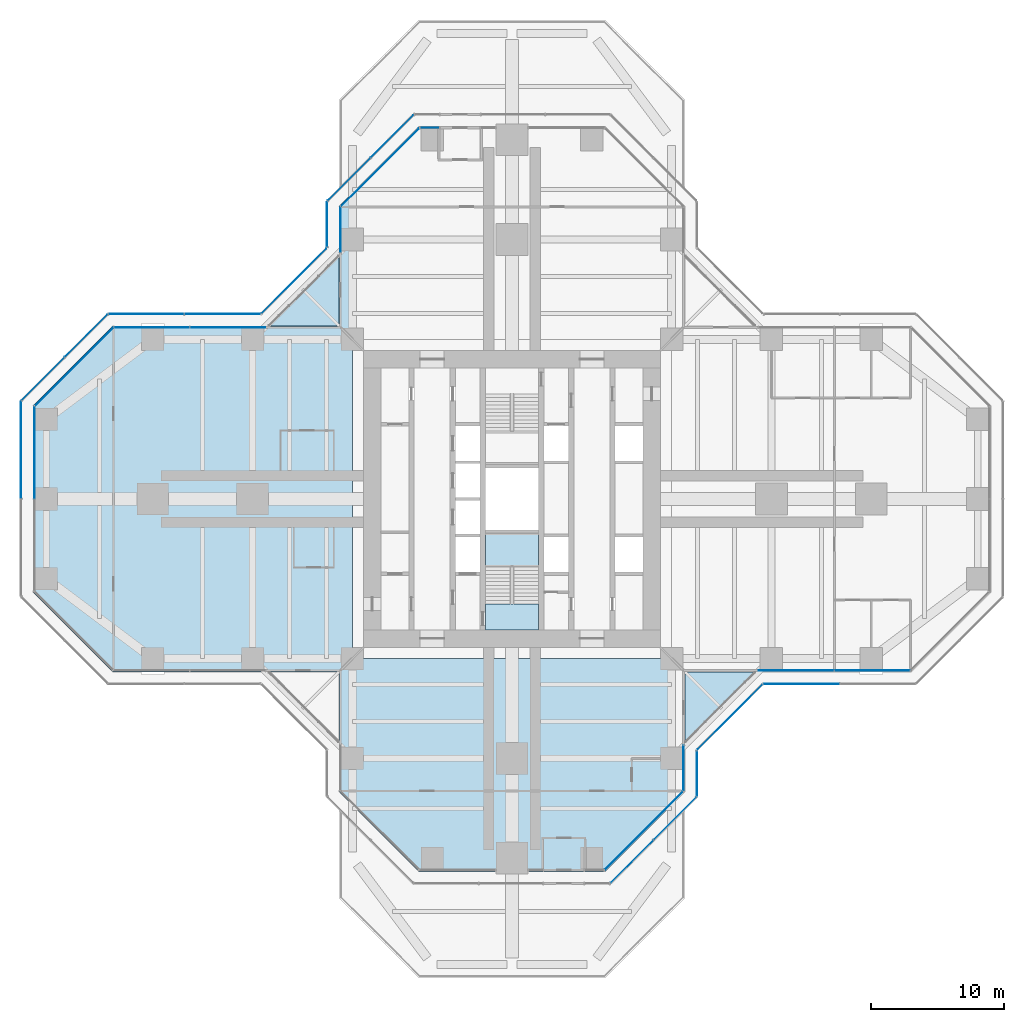
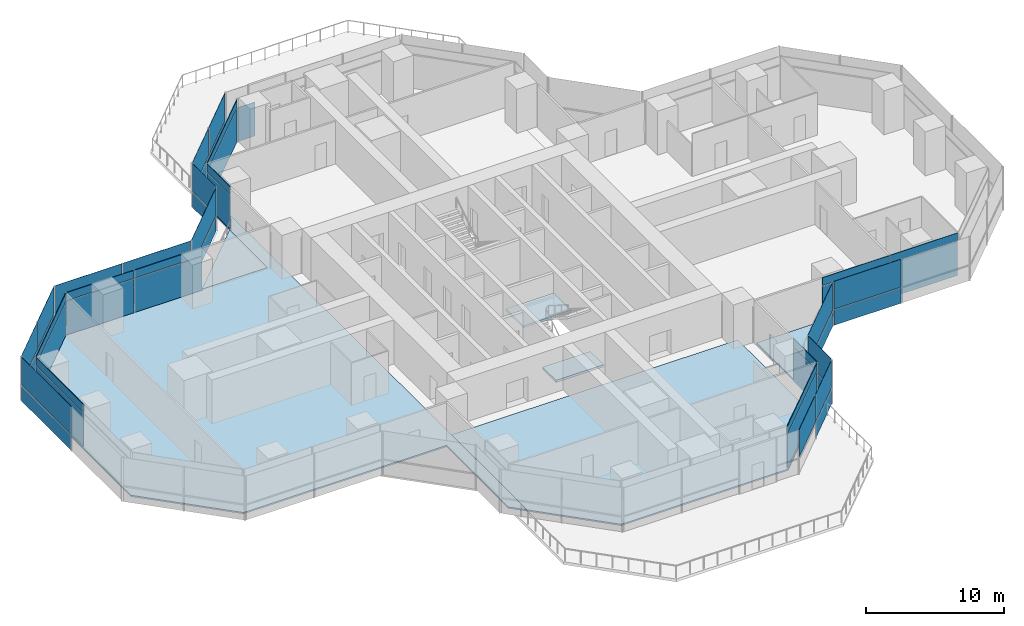
# One storey, part 14 of 21: 48 plates, 6 slabs, 20 elements without a shape of their own.
"""IFC4 building model written with IfcOpenShell, lengths in metres."""

from ifc_helpers import new_model, si_unit, direction, frame, origin, origin_2d, place, context, subcontext, project, spatial, polyline, rectangle, outline, extrude, material, layer, layer_set, type_object, element, aggregate, save


model = new_model("IFC4")

# Units and contexts
model_context = context("Model", 3, precision=1e-05, world=origin(), true_north=direction((0.0, 1.0)))
body_context = subcontext(model_context, "Body", "Model", "MODEL_VIEW")
ifc_project = project(units=[si_unit("LENGTHUNIT", "METRE"), si_unit("AREAUNIT", "SQUARE_METRE"), si_unit("VOLUMEUNIT", "CUBIC_METRE"), si_unit("PLANEANGLEUNIT", "RADIAN"), si_unit("MASSUNIT", "GRAM", prefix="KILO")], contexts=[model_context])

# Site, building, storey
site_placement = place(None, origin())
site = spatial("IfcSite", under=ifc_project, at=site_placement, CompositionType="ELEMENT")
building_placement = place(site_placement, origin())
building = spatial("IfcBuilding", under=site, at=building_placement, Name="Mizan Broadcast Tower", CompositionType="ELEMENT")
storey_placement = place(building_placement, frame((0.0, 0.0, 124.199951171875)))
storey = spatial("IfcBuildingStorey", under=building, at=storey_placement, Name="L27", CompositionType="ELEMENT", Elevation=124.199951171875)

# Slabs
ifc_material_1 = material(Name="Concrete C32/40", Category="concrete")
ifc_layer_1 = layer(ifc_material_1, 0.1298828125)
ifc_layer_set_1 = layer_set([ifc_layer_1], Name="Concrete C32/40")
slab_type_1 = type_object("IfcSlabType", Name="COMPOSITE DECK SLAB 130", PredefinedType="FLOOR", material=ifc_layer_set_1)
slab_1_placement = place(storey_placement, frame((0.0, 0.0, -0.1298828125)))
element("IfcSlab", 1, at=slab_1_placement, inside=storey, type_object=slab_type_1, Name="Floor slab L27 west arm", PredefinedType="FLOOR", context=body_context, shape_type="SweptSolid", body=[
    extrude(outline(polyline([(-13.0, -22.0), (-12.0, -23.0), (-12.0, 23.0), (-13.0, 22.0), (-13.0, 13.0), (-30.0, 13.0), (-36.0, 7.0), (-36.0, -7.0), (-30.0, -13.0), (-13.0, -13.0), (-13.0, -22.0)])), origin(), (0.0, 0.0, 1.0), 0.1298828125),
])
slab_2_placement = place(storey_placement, frame((0.0, 0.0, -0.1298828125)))
element("IfcSlab", 2, at=slab_2_placement, inside=storey, type_object=slab_type_1, Name="Floor slab L27 south arm", PredefinedType="FLOOR", context=body_context, shape_type="SweptSolid", body=[
    extrude(outline(polyline([(7.0, -28.0), (12.0, -23.0), (12.0, -12.0), (-12.0, -12.0), (-12.0, -23.0), (-7.0, -28.0), (7.0, -28.0)])), origin(), (0.0, 0.0, 1.0), 0.1298828125),
])

# Curtain wall, plates
ifc_material_2 = material(Name="Aluminium framed glazing", Category="aluminium")
curtain_wall_type_1 = type_object("IfcCurtainWallType", Name="INNER SKIN MID ZONE", PredefinedType="USERDEFINED", material=ifc_material_2)
curtain_wall_1_placement = place(storey_placement, origin())
curtain_wall_1 = element("IfcCurtainWall", 3, at=curtain_wall_1_placement, inside=storey, type_object=curtain_wall_type_1, Name="Inner skin mid zone L27 E side", ObjectType="INNER SKIN MID ZONE", PredefinedType="USERDEFINED")
ifc_material_3 = material(Name="Double glazing, clear low-e", Category="glass")
ifc_layer_2 = layer(ifc_material_3, 0.028076171875)
ifc_layer_set_2 = layer_set([ifc_layer_2], Name="Double glazing, clear low-e")
plate_type_1 = type_object("IfcPlateType", Name="INNER SKIN GLAZING UNIT", PredefinedType="CURTAIN_PANEL", material=ifc_layer_set_2)
plate_1_placement = place(storey_placement, frame((21.379638671875, -12.89990234375, 0.0), z_axis=(0.0, 0.0, 1.0), x_axis=(1.0, 0.0, 0.0)))
plate_1 = element("IfcPlate", 4, at=plate_1_placement, type_object=plate_type_1, Name="Inner skin mid zone L27 E side panel 1.1", PredefinedType="CURTAIN_PANEL", context=body_context, shape_type="SweptSolid", body=[
    extrude(rectangle(XDim=5.639404296875, YDim=0.028076171875, at=origin_2d()), origin(), (0.0, 0.0, 1.0), 3.0),
])
plate_2_placement = place(storey_placement, frame((27.078857421875, -12.89990234375, 0.0), z_axis=(0.0, 0.0, 1.0), x_axis=(1.0, 0.0, 0.0)))
plate_2 = element("IfcPlate", 5, at=plate_2_placement, type_object=plate_type_1, Name="Inner skin mid zone L27 E side panel 2.1", PredefinedType="CURTAIN_PANEL", context=body_context, shape_type="SweptSolid", body=[
    extrude(rectangle(XDim=5.639404296875, YDim=0.028076171875, at=origin_2d()), origin(), (0.0, 0.0, 1.0), 3.0),
])

# Curtain wall, plate
curtain_wall_2_placement = place(storey_placement, origin())
curtain_wall_2 = element("IfcCurtainWall", 6, at=curtain_wall_2_placement, inside=storey, type_object=curtain_wall_type_1, Name="Inner skin mid zone L27 N end", ObjectType="INNER SKIN MID ZONE", PredefinedType="USERDEFINED")
plate_3_placement = place(storey_placement, frame((-6.17919921875, 27.89990234375, 0.0), z_axis=(0.0, 0.0, 1.0), x_axis=(-1.0, 0.0, 0.0)))
plate_3 = element("IfcPlate", 7, at=plate_3_placement, type_object=plate_type_1, Name="Inner skin mid zone L27 N end panel 1.1", PredefinedType="CURTAIN_PANEL", context=body_context, shape_type="SweptSolid", body=[
    extrude(rectangle(XDim=1.4384765625, YDim=0.028076171875, at=origin_2d()), origin(), (0.0, 0.0, 1.0), 3.0),
])
aggregate(curtain_wall_2, [plate_3])

curtain_wall_3_placement = place(storey_placement, origin())
curtain_wall_3 = element("IfcCurtainWall", 8, at=curtain_wall_3_placement, inside=storey, type_object=curtain_wall_type_1, Name="Inner skin mid zone L27 N chamfer", ObjectType="INNER SKIN MID ZONE", PredefinedType="USERDEFINED")
plate_4_placement = place(storey_placement, frame((-9.92919921875, 24.92919921875, 0.0), z_axis=(0.0, 0.0, 1.0), x_axis=(-0.707106781187, -0.707106781187, 0.0)))
plate_4 = element("IfcPlate", 9, at=plate_4_placement, type_object=plate_type_1, Name="Inner skin mid zone L27 N chamfer panel 1.1", PredefinedType="CURTAIN_PANEL", context=body_context, shape_type="SweptSolid", body=[
    extrude(rectangle(XDim=8.282470703125, YDim=0.028076171875, at=origin_2d()), origin(), (0.0, 0.0, 1.0), 3.0),
])

curtain_wall_4_placement = place(storey_placement, origin())
curtain_wall_4 = element("IfcCurtainWall", 10, at=curtain_wall_4_placement, inside=storey, type_object=curtain_wall_type_1, Name="Inner skin mid zone L27 N side", ObjectType="INNER SKIN MID ZONE", PredefinedType="USERDEFINED")
plate_5_placement = place(storey_placement, frame((-12.89990234375, 20.229248046875, 0.0), z_axis=(0.0, 0.0, 1.0), x_axis=(0.0, -1.0, 0.0)))
plate_5 = element("IfcPlate", 11, at=plate_5_placement, type_object=plate_type_1, Name="Inner skin mid zone L27 N side panel 1.1", PredefinedType="CURTAIN_PANEL", context=body_context, shape_type="SweptSolid", body=[
    extrude(rectangle(XDim=3.338623046875, YDim=0.028076171875, at=origin_2d()), origin(), (0.0, 0.0, 1.0), 3.0),
])

# Curtain wall, plates
curtain_wall_5_placement = place(storey_placement, origin())
curtain_wall_5 = element("IfcCurtainWall", 12, at=curtain_wall_5_placement, inside=storey, type_object=curtain_wall_type_1, Name="Inner skin mid zone L27 W side", ObjectType="INNER SKIN MID ZONE", PredefinedType="USERDEFINED")
plate_6_placement = place(storey_placement, frame((-21.379638671875, 12.89990234375, 0.0), z_axis=(0.0, 0.0, 1.0), x_axis=(-1.0, 0.0, 0.0)))
plate_6 = element("IfcPlate", 13, at=plate_6_placement, type_object=plate_type_1, Name="Inner skin mid zone L27 W side panel 1.1", PredefinedType="CURTAIN_PANEL", context=body_context, shape_type="SweptSolid", body=[
    extrude(rectangle(XDim=5.639404296875, YDim=0.028076171875, at=origin_2d()), origin(), (0.0, 0.0, 1.0), 3.0),
])
plate_7_placement = place(storey_placement, frame((-27.078857421875, 12.89990234375, 0.0), z_axis=(0.0, 0.0, 1.0), x_axis=(-1.0, 0.0, 0.0)))
plate_7 = element("IfcPlate", 14, at=plate_7_placement, type_object=plate_type_1, Name="Inner skin mid zone L27 W side panel 2.1", PredefinedType="CURTAIN_PANEL", context=body_context, shape_type="SweptSolid", body=[
    extrude(rectangle(XDim=5.639404296875, YDim=0.028076171875, at=origin_2d()), origin(), (0.0, 0.0, 1.0), 3.0),
])

# Curtain wall, plate
curtain_wall_6_placement = place(storey_placement, origin())
curtain_wall_6 = element("IfcCurtainWall", 15, at=curtain_wall_6_placement, inside=storey, type_object=curtain_wall_type_1, Name="Inner skin mid zone L27 W chamfer", ObjectType="INNER SKIN MID ZONE", PredefinedType="USERDEFINED")
plate_8_placement = place(storey_placement, frame((-32.92919921875, 9.92919921875, 0.0), z_axis=(0.0, 0.0, 1.0), x_axis=(-0.707106781187, -0.707106781187, 0.0)))
plate_8 = element("IfcPlate", 16, at=plate_8_placement, type_object=plate_type_1, Name="Inner skin mid zone L27 W chamfer panel 1.1", PredefinedType="CURTAIN_PANEL", context=body_context, shape_type="SweptSolid", body=[
    extrude(rectangle(XDim=8.282470703125, YDim=0.028076171875, at=origin_2d()), origin(), (0.0, 0.0, 1.0), 3.0),
])

curtain_wall_7_placement = place(storey_placement, origin())
curtain_wall_7 = element("IfcCurtainWall", 17, at=curtain_wall_7_placement, inside=storey, type_object=curtain_wall_type_1, Name="Inner skin mid zone L27 W end", ObjectType="INNER SKIN MID ZONE", PredefinedType="USERDEFINED")
plate_9_placement = place(storey_placement, frame((-35.89990234375, 3.46435546875, 0.0), z_axis=(0.0, 0.0, 1.0), x_axis=(0.0, -1.0, 0.0)))
plate_9 = element("IfcPlate", 18, at=plate_9_placement, type_object=plate_type_1, Name="Inner skin mid zone L27 W end panel 1.1", PredefinedType="CURTAIN_PANEL", context=body_context, shape_type="SweptSolid", body=[
    extrude(rectangle(XDim=6.86865234375, YDim=0.028076171875, at=origin_2d()), origin(), (0.0, 0.0, 1.0), 3.0),
])

curtain_wall_8_placement = place(storey_placement, origin())
curtain_wall_8 = element("IfcCurtainWall", 19, at=curtain_wall_8_placement, inside=storey, type_object=curtain_wall_type_1, Name="Inner skin mid zone L27 S chamfer", ObjectType="INNER SKIN MID ZONE", PredefinedType="USERDEFINED")
plate_10_placement = place(storey_placement, frame((9.92919921875, -24.92919921875, 0.0), z_axis=(0.0, 0.0, 1.0), x_axis=(0.707106781187, 0.707106781187, 0.0)))
plate_10 = element("IfcPlate", 20, at=plate_10_placement, type_object=plate_type_1, Name="Inner skin mid zone L27 S chamfer panel 1.1", PredefinedType="CURTAIN_PANEL", context=body_context, shape_type="SweptSolid", body=[
    extrude(rectangle(XDim=8.282470703125, YDim=0.028076171875, at=origin_2d()), origin(), (0.0, 0.0, 1.0), 3.0),
])

curtain_wall_9_placement = place(storey_placement, origin())
curtain_wall_9 = element("IfcCurtainWall", 21, at=curtain_wall_9_placement, inside=storey, type_object=curtain_wall_type_1, Name="Inner skin mid zone L27 S side", ObjectType="INNER SKIN MID ZONE", PredefinedType="USERDEFINED")
plate_11_placement = place(storey_placement, frame((12.89990234375, -20.229248046875, 0.0), z_axis=(0.0, 0.0, 1.0), x_axis=(0.0, 1.0, 0.0)))
plate_11 = element("IfcPlate", 22, at=plate_11_placement, type_object=plate_type_1, Name="Inner skin mid zone L27 S side panel 1.1", PredefinedType="CURTAIN_PANEL", context=body_context, shape_type="SweptSolid", body=[
    extrude(rectangle(XDim=3.338623046875, YDim=0.028076171875, at=origin_2d()), origin(), (0.0, 0.0, 1.0), 3.0),
])

# Plate
ifc_material_4 = material(Name="Insulated aluminium spandrel panel, pale anodised", Category="aluminium")
ifc_layer_3 = layer(ifc_material_4, 0.050048828125)
ifc_layer_set_3 = layer_set([ifc_layer_3], Name="Insulated aluminium spandrel panel, pale anodised")
plate_type_2 = type_object("IfcPlateType", Name="INNER SKIN SPANDREL PANEL", PredefinedType="CURTAIN_PANEL", material=ifc_layer_set_3)
plate_12_placement = place(storey_placement, frame((21.379638671875, -12.89990234375, 3.06005859375), z_axis=(0.0, 0.0, 1.0), x_axis=(1.0, 0.0, 0.0)))
plate_12 = element("IfcPlate", 23, at=plate_12_placement, type_object=plate_type_2, Name="Inner skin mid zone L27 E side panel 1.2", PredefinedType="CURTAIN_PANEL", context=body_context, shape_type="SweptSolid", body=[
    extrude(rectangle(XDim=5.639404296875, YDim=0.050048828125, at=origin_2d()), origin(), (0.0, 0.0, 1.0), 0.7099609375),
])

plate_13_placement = place(storey_placement, frame((27.078857421875, -12.89990234375, 3.06005859375), z_axis=(0.0, 0.0, 1.0), x_axis=(1.0, 0.0, 0.0)))
plate_13 = element("IfcPlate", 24, at=plate_13_placement, type_object=plate_type_2, Name="Inner skin mid zone L27 E side panel 2.2", PredefinedType="CURTAIN_PANEL", context=body_context, shape_type="SweptSolid", body=[
    extrude(rectangle(XDim=5.639404296875, YDim=0.050048828125, at=origin_2d()), origin(), (0.0, 0.0, 1.0), 0.7099609375),
])

aggregate(curtain_wall_1, [plate_1, plate_12, plate_2, plate_13])

plate_14_placement = place(storey_placement, frame((-9.92919921875, 24.92919921875, 3.06005859375), z_axis=(0.0, 0.0, 1.0), x_axis=(-0.707106781187, -0.707106781187, 0.0)))
plate_14 = element("IfcPlate", 25, at=plate_14_placement, type_object=plate_type_2, Name="Inner skin mid zone L27 N chamfer panel 1.2", PredefinedType="CURTAIN_PANEL", context=body_context, shape_type="SweptSolid", body=[
    extrude(rectangle(XDim=8.282470703125, YDim=0.050048828125, at=origin_2d()), origin(), (0.0, 0.0, 1.0), 0.7099609375),
])

aggregate(curtain_wall_3, [plate_4, plate_14])

plate_15_placement = place(storey_placement, frame((-12.89990234375, 20.229248046875, 3.06005859375), z_axis=(0.0, 0.0, 1.0), x_axis=(0.0, -1.0, 0.0)))
plate_15 = element("IfcPlate", 26, at=plate_15_placement, type_object=plate_type_2, Name="Inner skin mid zone L27 N side panel 1.2", PredefinedType="CURTAIN_PANEL", context=body_context, shape_type="SweptSolid", body=[
    extrude(rectangle(XDim=3.338623046875, YDim=0.050048828125, at=origin_2d()), origin(), (0.0, 0.0, 1.0), 0.7099609375),
])

aggregate(curtain_wall_4, [plate_5, plate_15])

plate_16_placement = place(storey_placement, frame((-21.379638671875, 12.89990234375, 3.06005859375), z_axis=(0.0, 0.0, 1.0), x_axis=(-1.0, 0.0, 0.0)))
plate_16 = element("IfcPlate", 27, at=plate_16_placement, type_object=plate_type_2, Name="Inner skin mid zone L27 W side panel 1.2", PredefinedType="CURTAIN_PANEL", context=body_context, shape_type="SweptSolid", body=[
    extrude(rectangle(XDim=5.639404296875, YDim=0.050048828125, at=origin_2d()), origin(), (0.0, 0.0, 1.0), 0.7099609375),
])

plate_17_placement = place(storey_placement, frame((-27.078857421875, 12.89990234375, 3.06005859375), z_axis=(0.0, 0.0, 1.0), x_axis=(-1.0, 0.0, 0.0)))
plate_17 = element("IfcPlate", 28, at=plate_17_placement, type_object=plate_type_2, Name="Inner skin mid zone L27 W side panel 2.2", PredefinedType="CURTAIN_PANEL", context=body_context, shape_type="SweptSolid", body=[
    extrude(rectangle(XDim=5.639404296875, YDim=0.050048828125, at=origin_2d()), origin(), (0.0, 0.0, 1.0), 0.7099609375),
])

aggregate(curtain_wall_5, [plate_6, plate_16, plate_7, plate_17])

plate_18_placement = place(storey_placement, frame((-32.92919921875, 9.92919921875, 3.06005859375), z_axis=(0.0, 0.0, 1.0), x_axis=(-0.707106781187, -0.707106781187, 0.0)))
plate_18 = element("IfcPlate", 29, at=plate_18_placement, type_object=plate_type_2, Name="Inner skin mid zone L27 W chamfer panel 1.2", PredefinedType="CURTAIN_PANEL", context=body_context, shape_type="SweptSolid", body=[
    extrude(rectangle(XDim=8.282470703125, YDim=0.050048828125, at=origin_2d()), origin(), (0.0, 0.0, 1.0), 0.7099609375),
])

aggregate(curtain_wall_6, [plate_8, plate_18])

plate_19_placement = place(storey_placement, frame((-35.89990234375, 3.46435546875, 3.06005859375), z_axis=(0.0, 0.0, 1.0), x_axis=(0.0, -1.0, 0.0)))
plate_19 = element("IfcPlate", 30, at=plate_19_placement, type_object=plate_type_2, Name="Inner skin mid zone L27 W end panel 1.2", PredefinedType="CURTAIN_PANEL", context=body_context, shape_type="SweptSolid", body=[
    extrude(rectangle(XDim=6.86865234375, YDim=0.050048828125, at=origin_2d()), origin(), (0.0, 0.0, 1.0), 0.7099609375),
])

aggregate(curtain_wall_7, [plate_9, plate_19])

plate_20_placement = place(storey_placement, frame((9.92919921875, -24.92919921875, 3.06005859375), z_axis=(0.0, 0.0, 1.0), x_axis=(0.707106781187, 0.707106781187, 0.0)))
plate_20 = element("IfcPlate", 31, at=plate_20_placement, type_object=plate_type_2, Name="Inner skin mid zone L27 S chamfer panel 1.2", PredefinedType="CURTAIN_PANEL", context=body_context, shape_type="SweptSolid", body=[
    extrude(rectangle(XDim=8.282470703125, YDim=0.050048828125, at=origin_2d()), origin(), (0.0, 0.0, 1.0), 0.7099609375),
])

aggregate(curtain_wall_8, [plate_10, plate_20])

plate_21_placement = place(storey_placement, frame((12.89990234375, -20.229248046875, 3.06005859375), z_axis=(0.0, 0.0, 1.0), x_axis=(0.0, 1.0, 0.0)))
plate_21 = element("IfcPlate", 32, at=plate_21_placement, type_object=plate_type_2, Name="Inner skin mid zone L27 S side panel 1.2", PredefinedType="CURTAIN_PANEL", context=body_context, shape_type="SweptSolid", body=[
    extrude(rectangle(XDim=3.338623046875, YDim=0.050048828125, at=origin_2d()), origin(), (0.0, 0.0, 1.0), 0.7099609375),
])

aggregate(curtain_wall_9, [plate_11, plate_21])

# Curtain wall, plates
ifc_material_5 = material(Name="Aluminium framed glazing", Category="aluminium")
curtain_wall_type_2 = type_object("IfcCurtainWallType", Name="OUTER SKIN", PredefinedType="USERDEFINED", material=ifc_material_5)
curtain_wall_10_placement = place(storey_placement, origin())
curtain_wall_10 = element("IfcCurtainWall", 33, at=curtain_wall_10_placement, inside=storey, type_object=curtain_wall_type_2, Name="Outer skin L27 N chamfer", ObjectType="OUTER SKIN", PredefinedType="USERDEFINED")
ifc_material_6 = material(Name="Laminated clear glass", Category="glass")
ifc_layer_4 = layer(ifc_material_6, 0.02001953125)
ifc_layer_set_4 = layer_set([ifc_layer_4], Name="Laminated clear glass")
plate_type_3 = type_object("IfcPlateType", Name="OUTER SKIN CLEAR GLASS", PredefinedType="CURTAIN_PANEL", material=ifc_layer_set_4)
plate_22_placement = place(storey_placement, frame((-9.018798828125, 27.254150390625, 0.0), z_axis=(0.0, 0.0, 1.0), x_axis=(-0.707106781187, -0.707106781187, 0.0)))
plate_22 = element("IfcPlate", 34, at=plate_22_placement, type_object=plate_type_3, Name="Outer skin L27 N chamfer panel 1.1", PredefinedType="CURTAIN_PANEL", context=body_context, shape_type="SweptSolid", body=[
    extrude(rectangle(XDim=4.495361328125, YDim=0.02001953125, at=origin_2d()), origin(), (0.0, 0.0, 1.0), 1.3701171875),
])
plate_23_placement = place(storey_placement, frame((-9.018798828125, 27.254150390625, 1.43017578125), z_axis=(0.0, 0.0, 1.0), x_axis=(-0.707106781187, -0.707106781187, 0.0)))
plate_23 = element("IfcPlate", 35, at=plate_23_placement, type_object=plate_type_3, Name="Outer skin L27 N chamfer panel 1.2", PredefinedType="CURTAIN_PANEL", context=body_context, shape_type="SweptSolid", body=[
    extrude(rectangle(XDim=4.495361328125, YDim=0.02001953125, at=origin_2d()), origin(), (0.0, 0.0, 1.0), 2.469970703125),
])

curtain_wall_11_placement = place(storey_placement, origin())
curtain_wall_11 = element("IfcCurtainWall", 36, at=curtain_wall_11_placement, inside=storey, type_object=curtain_wall_type_2, Name="Outer skin L27 N side", ObjectType="OUTER SKIN", PredefinedType="USERDEFINED")
plate_24_placement = place(storey_placement, frame((-13.89990234375, 20.622802734375, 0.0), z_axis=(0.0, 0.0, 1.0), x_axis=(0.0, -1.0, 0.0)))
plate_24 = element("IfcPlate", 37, at=plate_24_placement, type_object=plate_type_3, Name="Outer skin L27 N side panel 1.1", PredefinedType="CURTAIN_PANEL", context=body_context, shape_type="SweptSolid", body=[
    extrude(rectangle(XDim=3.340087890625, YDim=0.02001953125, at=origin_2d()), origin(), (0.0, 0.0, 1.0), 1.3701171875),
])
plate_25_placement = place(storey_placement, frame((-13.89990234375, 20.622802734375, 1.43017578125), z_axis=(0.0, 0.0, 1.0), x_axis=(0.0, -1.0, 0.0)))
plate_25 = element("IfcPlate", 38, at=plate_25_placement, type_object=plate_type_3, Name="Outer skin L27 N side panel 1.2", PredefinedType="CURTAIN_PANEL", context=body_context, shape_type="SweptSolid", body=[
    extrude(rectangle(XDim=3.340087890625, YDim=0.02001953125, at=origin_2d()), origin(), (0.0, 0.0, 1.0), 2.469970703125),
])
aggregate(curtain_wall_11, [plate_24, plate_25])

curtain_wall_12_placement = place(storey_placement, origin())
curtain_wall_12 = element("IfcCurtainWall", 39, at=curtain_wall_12_placement, inside=storey, type_object=curtain_wall_type_2, Name="Outer skin L27 W chamfer", ObjectType="OUTER SKIN", PredefinedType="USERDEFINED")
plate_26_placement = place(storey_placement, frame((-16.386474609375, 16.386474609375, 0.0), z_axis=(0.0, 0.0, 1.0), x_axis=(-0.707106781187, -0.707106781187, 0.0)))
plate_26 = element("IfcPlate", 40, at=plate_26_placement, type_object=plate_type_3, Name="Outer skin L27 W chamfer panel 1.1", PredefinedType="CURTAIN_PANEL", context=body_context, shape_type="SweptSolid", body=[
    extrude(rectangle(XDim=6.87255859375, YDim=0.02001953125, at=origin_2d()), origin(), (0.0, 0.0, 1.0), 1.3701171875),
])
plate_27_placement = place(storey_placement, frame((-16.386474609375, 16.386474609375, 1.43017578125), z_axis=(0.0, 0.0, 1.0), x_axis=(-0.707106781187, -0.707106781187, 0.0)))
plate_27 = element("IfcPlate", 41, at=plate_27_placement, type_object=plate_type_3, Name="Outer skin L27 W chamfer panel 1.2", PredefinedType="CURTAIN_PANEL", context=body_context, shape_type="SweptSolid", body=[
    extrude(rectangle(XDim=6.87255859375, YDim=0.02001953125, at=origin_2d()), origin(), (0.0, 0.0, 1.0), 2.469970703125),
])
aggregate(curtain_wall_12, [plate_26, plate_27])

curtain_wall_13_placement = place(storey_placement, origin())
curtain_wall_13 = element("IfcCurtainWall", 42, at=curtain_wall_13_placement, inside=storey, type_object=curtain_wall_type_2, Name="Outer skin L27 W side", ObjectType="OUTER SKIN", PredefinedType="USERDEFINED")
plate_28_placement = place(storey_placement, frame((-21.767822265625, 13.89990234375, 0.0), z_axis=(0.0, 0.0, 1.0), x_axis=(-1.0, 0.0, 0.0)))
plate_28 = element("IfcPlate", 43, at=plate_28_placement, type_object=plate_type_3, Name="Outer skin L27 W side panel 1.1", PredefinedType="CURTAIN_PANEL", context=body_context, shape_type="SweptSolid", body=[
    extrude(rectangle(XDim=5.6298828125, YDim=0.02001953125, at=origin_2d()), origin(), (0.0, 0.0, 1.0), 1.3701171875),
])
plate_29_placement = place(storey_placement, frame((-21.767822265625, 13.89990234375, 1.43017578125), z_axis=(0.0, 0.0, 1.0), x_axis=(-1.0, 0.0, 0.0)))
plate_29 = element("IfcPlate", 44, at=plate_29_placement, type_object=plate_type_3, Name="Outer skin L27 W side panel 1.2", PredefinedType="CURTAIN_PANEL", context=body_context, shape_type="SweptSolid", body=[
    extrude(rectangle(XDim=5.6298828125, YDim=0.02001953125, at=origin_2d()), origin(), (0.0, 0.0, 1.0), 2.469970703125),
])
plate_30_placement = place(storey_placement, frame((-27.477783203125, 13.89990234375, 0.0), z_axis=(0.0, 0.0, 1.0), x_axis=(-1.0, 0.0, 0.0)))
plate_30 = element("IfcPlate", 45, at=plate_30_placement, type_object=plate_type_3, Name="Outer skin L27 W side panel 2.1", PredefinedType="CURTAIN_PANEL", context=body_context, shape_type="SweptSolid", body=[
    extrude(rectangle(XDim=5.6298828125, YDim=0.02001953125, at=origin_2d()), origin(), (0.0, 0.0, 1.0), 1.3701171875),
])
plate_31_placement = place(storey_placement, frame((-27.477783203125, 13.89990234375, 1.43017578125), z_axis=(0.0, 0.0, 1.0), x_axis=(-1.0, 0.0, 0.0)))
plate_31 = element("IfcPlate", 46, at=plate_31_placement, type_object=plate_type_3, Name="Outer skin L27 W side panel 2.2", PredefinedType="CURTAIN_PANEL", context=body_context, shape_type="SweptSolid", body=[
    extrude(rectangle(XDim=5.6298828125, YDim=0.02001953125, at=origin_2d()), origin(), (0.0, 0.0, 1.0), 2.469970703125),
])
aggregate(curtain_wall_13, [plate_28, plate_29, plate_30, plate_31])

curtain_wall_14_placement = place(storey_placement, origin())
curtain_wall_14 = element("IfcCurtainWall", 47, at=curtain_wall_14_placement, inside=storey, type_object=curtain_wall_type_2, Name="Outer skin L27 W chamfer", ObjectType="OUTER SKIN", PredefinedType="USERDEFINED")
plate_32_placement = place(storey_placement, frame((-32.018798828125, 12.254150390625, 0.0), z_axis=(0.0, 0.0, 1.0), x_axis=(-0.707106781187, -0.707106781187, 0.0)))
plate_32 = element("IfcPlate", 48, at=plate_32_placement, type_object=plate_type_3, Name="Outer skin L27 W chamfer panel 1.1", PredefinedType="CURTAIN_PANEL", context=body_context, shape_type="SweptSolid", body=[
    extrude(rectangle(XDim=4.495361328125, YDim=0.02001953125, at=origin_2d()), origin(), (0.0, 0.0, 1.0), 1.3701171875),
])
plate_33_placement = place(storey_placement, frame((-32.018798828125, 12.254150390625, 1.43017578125), z_axis=(0.0, 0.0, 1.0), x_axis=(-0.707106781187, -0.707106781187, 0.0)))
plate_33 = element("IfcPlate", 49, at=plate_33_placement, type_object=plate_type_3, Name="Outer skin L27 W chamfer panel 1.2", PredefinedType="CURTAIN_PANEL", context=body_context, shape_type="SweptSolid", body=[
    extrude(rectangle(XDim=4.495361328125, YDim=0.02001953125, at=origin_2d()), origin(), (0.0, 0.0, 1.0), 2.469970703125),
])

curtain_wall_15_placement = place(storey_placement, origin())
curtain_wall_15 = element("IfcCurtainWall", 50, at=curtain_wall_15_placement, inside=storey, type_object=curtain_wall_type_2, Name="Outer skin L27 W end", ObjectType="OUTER SKIN", PredefinedType="USERDEFINED")
plate_34_placement = place(storey_placement, frame((-36.89990234375, 3.66650390625, 0.0), z_axis=(0.0, 0.0, 1.0), x_axis=(0.0, -1.0, 0.0)))
plate_34 = element("IfcPlate", 51, at=plate_34_placement, type_object=plate_type_3, Name="Outer skin L27 W end panel 1.1", PredefinedType="CURTAIN_PANEL", context=body_context, shape_type="SweptSolid", body=[
    extrude(rectangle(XDim=7.252685546875, YDim=0.02001953125, at=origin_2d()), origin(), (0.0, 0.0, 1.0), 1.3701171875),
])
plate_35_placement = place(storey_placement, frame((-36.89990234375, 3.66650390625, 1.43017578125), z_axis=(0.0, 0.0, 1.0), x_axis=(0.0, -1.0, 0.0)))
plate_35 = element("IfcPlate", 52, at=plate_35_placement, type_object=plate_type_3, Name="Outer skin L27 W end panel 1.2", PredefinedType="CURTAIN_PANEL", context=body_context, shape_type="SweptSolid", body=[
    extrude(rectangle(XDim=7.252685546875, YDim=0.02001953125, at=origin_2d()), origin(), (0.0, 0.0, 1.0), 2.469970703125),
])
aggregate(curtain_wall_15, [plate_34, plate_35])

# Curtain wall, plate
curtain_wall_16_placement = place(storey_placement, origin())
curtain_wall_16 = element("IfcCurtainWall", 53, at=curtain_wall_16_placement, inside=storey, type_object=curtain_wall_type_2, Name="Outer skin L27 S chamfer", ObjectType="OUTER SKIN", PredefinedType="USERDEFINED")
plate_36_placement = place(storey_placement, frame((9.018798828125, -27.254150390625, 1.43017578125), z_axis=(0.0, 0.0, 1.0), x_axis=(0.707106781187, 0.707106781187, 0.0)))
plate_36 = element("IfcPlate", 54, at=plate_36_placement, type_object=plate_type_3, Name="Outer skin L27 S chamfer panel 1.2", PredefinedType="CURTAIN_PANEL", context=body_context, shape_type="SweptSolid", body=[
    extrude(rectangle(XDim=4.495361328125, YDim=0.02001953125, at=origin_2d()), origin(), (0.0, 0.0, 1.0), 2.469970703125),
])

# Curtain wall, plates
curtain_wall_17_placement = place(storey_placement, origin())
curtain_wall_17 = element("IfcCurtainWall", 55, at=curtain_wall_17_placement, inside=storey, type_object=curtain_wall_type_2, Name="Outer skin L27 S side", ObjectType="OUTER SKIN", PredefinedType="USERDEFINED")
plate_37_placement = place(storey_placement, frame((13.89990234375, -20.622802734375, 0.0), z_axis=(0.0, 0.0, 1.0), x_axis=(0.0, 1.0, 0.0)))
plate_37 = element("IfcPlate", 56, at=plate_37_placement, type_object=plate_type_3, Name="Outer skin L27 S side panel 1.1", PredefinedType="CURTAIN_PANEL", context=body_context, shape_type="SweptSolid", body=[
    extrude(rectangle(XDim=3.340087890625, YDim=0.02001953125, at=origin_2d()), origin(), (0.0, 0.0, 1.0), 1.3701171875),
])
plate_38_placement = place(storey_placement, frame((13.89990234375, -20.622802734375, 1.43017578125), z_axis=(0.0, 0.0, 1.0), x_axis=(0.0, 1.0, 0.0)))
plate_38 = element("IfcPlate", 57, at=plate_38_placement, type_object=plate_type_3, Name="Outer skin L27 S side panel 1.2", PredefinedType="CURTAIN_PANEL", context=body_context, shape_type="SweptSolid", body=[
    extrude(rectangle(XDim=3.340087890625, YDim=0.02001953125, at=origin_2d()), origin(), (0.0, 0.0, 1.0), 2.469970703125),
])
aggregate(curtain_wall_17, [plate_37, plate_38])

curtain_wall_18_placement = place(storey_placement, origin())
curtain_wall_18 = element("IfcCurtainWall", 58, at=curtain_wall_18_placement, inside=storey, type_object=curtain_wall_type_2, Name="Outer skin L27 E chamfer", ObjectType="OUTER SKIN", PredefinedType="USERDEFINED")
plate_39_placement = place(storey_placement, frame((16.386474609375, -16.386474609375, 0.0), z_axis=(0.0, 0.0, 1.0), x_axis=(0.707106781187, 0.707106781187, 0.0)))
plate_39 = element("IfcPlate", 59, at=plate_39_placement, type_object=plate_type_3, Name="Outer skin L27 E chamfer panel 1.1", PredefinedType="CURTAIN_PANEL", context=body_context, shape_type="SweptSolid", body=[
    extrude(rectangle(XDim=6.87255859375, YDim=0.02001953125, at=origin_2d()), origin(), (0.0, 0.0, 1.0), 1.3701171875),
])
plate_40_placement = place(storey_placement, frame((16.386474609375, -16.386474609375, 1.43017578125), z_axis=(0.0, 0.0, 1.0), x_axis=(0.707106781187, 0.707106781187, 0.0)))
plate_40 = element("IfcPlate", 60, at=plate_40_placement, type_object=plate_type_3, Name="Outer skin L27 E chamfer panel 1.2", PredefinedType="CURTAIN_PANEL", context=body_context, shape_type="SweptSolid", body=[
    extrude(rectangle(XDim=6.87255859375, YDim=0.02001953125, at=origin_2d()), origin(), (0.0, 0.0, 1.0), 2.469970703125),
])
aggregate(curtain_wall_18, [plate_39, plate_40])

curtain_wall_19_placement = place(storey_placement, origin())
curtain_wall_19 = element("IfcCurtainWall", 61, at=curtain_wall_19_placement, inside=storey, type_object=curtain_wall_type_2, Name="Outer skin L27 E side", ObjectType="OUTER SKIN", PredefinedType="USERDEFINED")
plate_41_placement = place(storey_placement, frame((21.767822265625, -13.89990234375, 0.0), z_axis=(0.0, 0.0, 1.0), x_axis=(1.0, 0.0, 0.0)))
plate_41 = element("IfcPlate", 62, at=plate_41_placement, type_object=plate_type_3, Name="Outer skin L27 E side panel 1.1", PredefinedType="CURTAIN_PANEL", context=body_context, shape_type="SweptSolid", body=[
    extrude(rectangle(XDim=5.6298828125, YDim=0.02001953125, at=origin_2d()), origin(), (0.0, 0.0, 1.0), 1.3701171875),
])
plate_42_placement = place(storey_placement, frame((21.767822265625, -13.89990234375, 1.43017578125), z_axis=(0.0, 0.0, 1.0), x_axis=(1.0, 0.0, 0.0)))
plate_42 = element("IfcPlate", 63, at=plate_42_placement, type_object=plate_type_3, Name="Outer skin L27 E side panel 1.2", PredefinedType="CURTAIN_PANEL", context=body_context, shape_type="SweptSolid", body=[
    extrude(rectangle(XDim=5.6298828125, YDim=0.02001953125, at=origin_2d()), origin(), (0.0, 0.0, 1.0), 2.469970703125),
])
aggregate(curtain_wall_19, [plate_41, plate_42])

# Plate
ifc_material_7 = material(Name="Perforated aluminium, pale anodised", Category="aluminium")
ifc_layer_5 = layer(ifc_material_7, 0.011962890625)
ifc_layer_set_5 = layer_set([ifc_layer_5], Name="Perforated aluminium, pale anodised")
plate_type_4 = type_object("IfcPlateType", Name="OUTER SKIN PERFORATED SCREEN", PredefinedType="USERDEFINED", material=ifc_layer_set_5)
plate_43_placement = place(storey_placement, frame((-12.254150390625, 24.018798828125, 0.0), z_axis=(0.0, 0.0, 1.0), x_axis=(-0.707106781187, -0.707106781187, 0.0)))
plate_43 = element("IfcPlate", 64, at=plate_43_placement, type_object=plate_type_4, Name="Outer skin L27 N chamfer panel 2.1", ObjectType="SCREEN", PredefinedType="USERDEFINED", context=body_context, shape_type="SweptSolid", body=[
    extrude(rectangle(XDim=4.495361328125, YDim=0.011962890625, at=origin_2d()), origin(), (0.0, 0.0, 1.0), 1.3701171875),
])

plate_44_placement = place(storey_placement, frame((-12.254150390625, 24.018798828125, 1.43017578125), z_axis=(0.0, 0.0, 1.0), x_axis=(-0.707106781187, -0.707106781187, 0.0)))
plate_44 = element("IfcPlate", 65, at=plate_44_placement, type_object=plate_type_4, Name="Outer skin L27 N chamfer panel 2.2", ObjectType="SCREEN", PredefinedType="USERDEFINED", context=body_context, shape_type="SweptSolid", body=[
    extrude(rectangle(XDim=4.495361328125, YDim=0.011962890625, at=origin_2d()), origin(), (0.0, 0.0, 1.0), 2.469970703125),
])

aggregate(curtain_wall_10, [plate_22, plate_23, plate_43, plate_44])

plate_45_placement = place(storey_placement, frame((-35.254150390625, 9.018798828125, 0.0), z_axis=(0.0, 0.0, 1.0), x_axis=(-0.707106781187, -0.707106781187, 0.0)))
plate_45 = element("IfcPlate", 66, at=plate_45_placement, type_object=plate_type_4, Name="Outer skin L27 W chamfer panel 2.1", ObjectType="SCREEN", PredefinedType="USERDEFINED", context=body_context, shape_type="SweptSolid", body=[
    extrude(rectangle(XDim=4.495361328125, YDim=0.011962890625, at=origin_2d()), origin(), (0.0, 0.0, 1.0), 1.3701171875),
])

plate_46_placement = place(storey_placement, frame((-35.254150390625, 9.018798828125, 1.43017578125), z_axis=(0.0, 0.0, 1.0), x_axis=(-0.707106781187, -0.707106781187, 0.0)))
plate_46 = element("IfcPlate", 67, at=plate_46_placement, type_object=plate_type_4, Name="Outer skin L27 W chamfer panel 2.2", ObjectType="SCREEN", PredefinedType="USERDEFINED", context=body_context, shape_type="SweptSolid", body=[
    extrude(rectangle(XDim=4.495361328125, YDim=0.011962890625, at=origin_2d()), origin(), (0.0, 0.0, 1.0), 2.469970703125),
])

aggregate(curtain_wall_14, [plate_32, plate_33, plate_45, plate_46])

plate_47_placement = place(storey_placement, frame((12.254150390625, -24.018798828125, 0.0), z_axis=(0.0, 0.0, 1.0), x_axis=(0.707106781187, 0.707106781187, 0.0)))
plate_47 = element("IfcPlate", 68, at=plate_47_placement, type_object=plate_type_4, Name="Outer skin L27 S chamfer panel 2.1", ObjectType="SCREEN", PredefinedType="USERDEFINED", context=body_context, shape_type="SweptSolid", body=[
    extrude(rectangle(XDim=4.495361328125, YDim=0.011962890625, at=origin_2d()), origin(), (0.0, 0.0, 1.0), 1.3701171875),
])

plate_48_placement = place(storey_placement, frame((12.254150390625, -24.018798828125, 1.43017578125), z_axis=(0.0, 0.0, 1.0), x_axis=(0.707106781187, 0.707106781187, 0.0)))
plate_48 = element("IfcPlate", 69, at=plate_48_placement, type_object=plate_type_4, Name="Outer skin L27 S chamfer panel 2.2", ObjectType="SCREEN", PredefinedType="USERDEFINED", context=body_context, shape_type="SweptSolid", body=[
    extrude(rectangle(XDim=4.495361328125, YDim=0.011962890625, at=origin_2d()), origin(), (0.0, 0.0, 1.0), 2.469970703125),
])

aggregate(curtain_wall_16, [plate_36, plate_47, plate_48])

# Stair, slabs
ifc_material_8 = material(Name="Concrete C40/50", Category="concrete")
stair_type = type_object("IfcStairType", Name="EXIT STAIR", PredefinedType="HALF_TURN_STAIR", material=ifc_material_8)
stair_placement = place(storey_placement, origin())
stair = element("IfcStair", 70, at=stair_placement, inside=storey, type_object=stair_type, Name="Stair A L27", PredefinedType="HALF_TURN_STAIR")
ifc_material_9 = material(Name="Concrete C40/50", Category="concrete")
ifc_layer_6 = layer(ifc_material_9, 0.199951171875)
ifc_layer_set_6 = layer_set([ifc_layer_6], Name="Concrete C40/50")
slab_type_2 = type_object("IfcSlabType", Name="STAIR LANDING 200", PredefinedType="LANDING", material=ifc_layer_set_6)
slab_3_placement = place(storey_placement, frame((0.0, 0.0, -0.199951171875)))
slab_3 = element("IfcSlab", 71, at=slab_3_placement, type_object=slab_type_2, Name="A landing 1", PredefinedType="LANDING", context=body_context, shape_type="SweptSolid", body=[
    extrude(outline(polyline([(-2.0, -9.85009765625), (-2.0, -7.89990234375), (2.0, -7.89990234375), (2.0, -9.85009765625), (-2.0, -9.85009765625)])), origin(), (0.0, 0.0, 1.0), 0.199951171875),
])
slab_4_placement = place(storey_placement, frame((0.0, 0.0, 1.75)))
slab_4 = element("IfcSlab", 72, at=slab_4_placement, type_object=slab_type_2, Name="A landing 2", PredefinedType="LANDING", context=body_context, shape_type="SweptSolid", body=[
    extrude(outline(polyline([(-2.0, -5.10009765625), (-2.0, -2.574951171875), (2.0, -2.574951171875), (2.0, -5.10009765625), (-2.0, -5.10009765625)])), origin(), (0.0, 0.0, 1.0), 0.199951171875),
])
aggregate(stair, [slab_3, slab_4])

# Slabs
ifc_material_10 = material(Name="Concrete C32/40", Category="concrete")
ifc_layer_7 = layer(ifc_material_10, 0.1298828125)
ifc_layer_set_7 = layer_set([ifc_layer_7], Name="Concrete C32/40")
slab_type_3 = type_object("IfcSlabType", Name="WINTER GARDEN SLAB 130", PredefinedType="FLOOR", material=ifc_layer_set_7)
slab_5_placement = place(storey_placement, frame((0.0, 0.0, -0.1298828125)))
element("IfcSlab", 73, at=slab_5_placement, inside=storey, type_object=slab_type_3, Name="Winter garden slab L27 N", PredefinedType="FLOOR", context=body_context, shape_type="SweptSolid", body=[
    extrude(outline(polyline([(-13.0, 13.0), (-13.0, 18.5), (-18.5, 13.0), (-13.0, 13.0)])), origin(), (0.0, 0.0, 1.0), 0.1298828125),
])
slab_6_placement = place(storey_placement, frame((0.0, 0.0, -0.1298828125)))
element("IfcSlab", 74, at=slab_6_placement, inside=storey, type_object=slab_type_3, Name="Winter garden slab L27 S", PredefinedType="FLOOR", context=body_context, shape_type="SweptSolid", body=[
    extrude(outline(polyline([(13.0, -13.0), (13.0, -18.5), (18.5, -13.0), (13.0, -13.0)])), origin(), (0.0, 0.0, 1.0), 0.1298828125),
])

save(model, "model.ifc")
